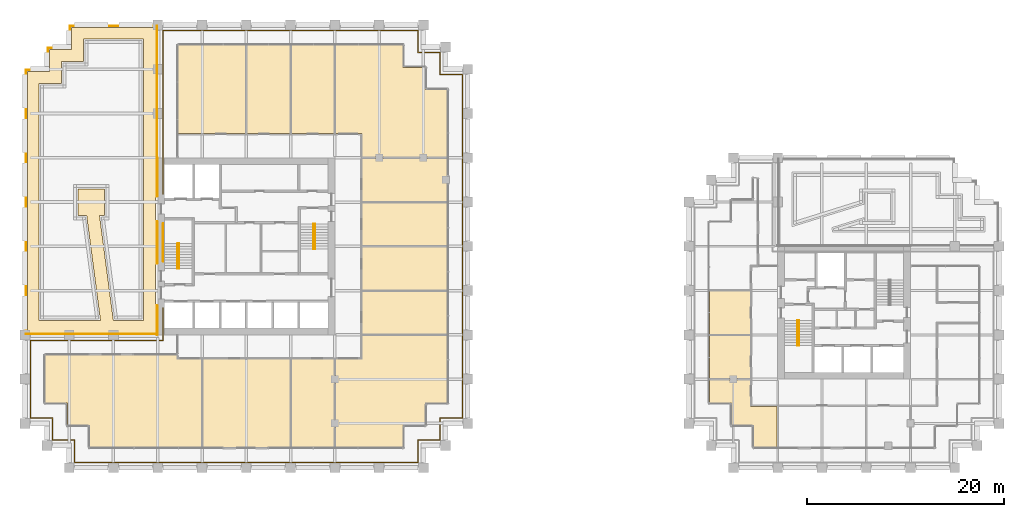
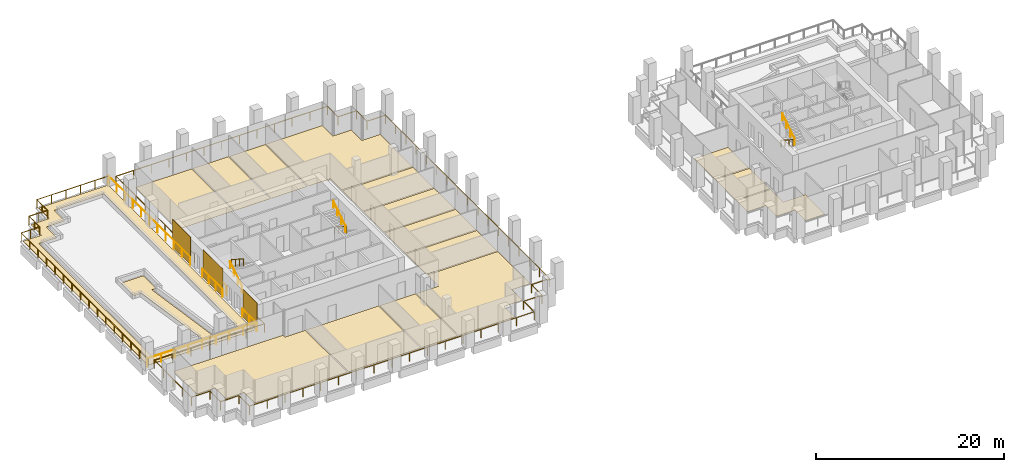
# One storey, part 50 of 52: 19 coverings, 13 railings.
"""IFC4 building model written with IfcOpenShell, lengths in metres."""

from ifc_helpers import new_model, si_unit, direction, frame, origin, origin_2d, place, context, subcontext, project, spatial, polyline, rectangle, circle, outline, extrude, source, transform, mapped, material, layer, layer_set, type_object, element, save


model = new_model("IFC4")

# Units and contexts
model_context = context("Model", 3, precision=1e-05, world=origin(), true_north=direction((0.0, 1.0)))
body_context = subcontext(model_context, "Body", "Model", "MODEL_VIEW")
ifc_project = project(units=[si_unit("LENGTHUNIT", "METRE"), si_unit("AREAUNIT", "SQUARE_METRE"), si_unit("VOLUMEUNIT", "CUBIC_METRE"), si_unit("PLANEANGLEUNIT", "RADIAN"), si_unit("MASSUNIT", "GRAM", prefix="KILO")], contexts=[model_context])

# Site, building, storey
site_placement = place(None, origin())
site = spatial("IfcSite", under=ifc_project, at=site_placement, CompositionType="ELEMENT")
building_placement = place(site_placement, origin())
building = spatial("IfcBuilding", under=site, at=building_placement, Name="Altepetl Exchange Towers", CompositionType="ELEMENT")
storey_placement = place(building_placement, frame((0.0, 0.0, 92.0)))
storey = spatial("IfcBuildingStorey", under=building, at=storey_placement, Name="L22", CompositionType="ELEMENT", Elevation=92.0)

# Coverings
ifc_material_1 = material(Name="Carpet tile")
ifc_layer_1 = layer(ifc_material_1, 0.02001953125)
ifc_layer_set_1 = layer_set([ifc_layer_1], Name="Carpet tile")
covering_type_1 = type_object("IfcCoveringType", Name="Carpet tile floor", PredefinedType="FLOORING", material=ifc_layer_set_1)
covering_1_placement = place(storey_placement, origin())
element("IfcCovering", 1, at=covering_1_placement, inside=storey, type_object=covering_type_1, Name="Open office floor finish A22.01", PredefinedType="FLOORING", context=body_context, shape_type="SweptSolid", body=[
    extrude(outline(polyline([(33.5625, 29.0625), (44.9375, 29.0625), (44.9375, 38.03759765625), (42.4375, 38.03759765625), (42.4375, 38.4375), (29.0625, 38.4375), (29.0625, 33.5625), (31.3125, 33.5625), (31.3125, 31.3125), (33.5625, 31.3125), (33.5625, 29.0625)])), origin(), (0.0, 0.0, 1.0), 0.02001953125),
])
covering_2_placement = place(storey_placement, origin())
element("IfcCovering", 2, at=covering_2_placement, inside=storey, type_object=covering_type_1, Name="Cowork office floor finish A22.04", PredefinedType="FLOORING", context=body_context, shape_type="SweptSolid", body=[
    extrude(outline(polyline([(58.5625, 38.03759765625), (58.5625, 29.0625), (65.4375, 29.0625), (65.4375, 31.3125), (67.6875, 31.3125), (67.6875, 33.5625), (69.9375, 33.5625), (69.9375, 40.4375), (61.262451171875, 40.4375), (61.262451171875, 38.03759765625), (58.5625, 38.03759765625)])), origin(), (0.0, 0.0, 1.0), 0.02001953125),
])
covering_3_placement = place(storey_placement, origin())
element("IfcCovering", 3, at=covering_3_placement, inside=storey, type_object=covering_type_1, Name="Meeting room floor finish A22.05", PredefinedType="FLOORING", context=body_context, shape_type="SweptSolid", body=[
    extrude(outline(polyline([(69.9375, 44.9375), (61.262451171875, 44.9375), (61.262451171875, 40.5625), (69.9375, 40.5625), (69.9375, 44.9375)])), origin(), (0.0, 0.0, 1.0), 0.02001953125),
])
covering_4_placement = place(storey_placement, origin())
element("IfcCovering", 4, at=covering_4_placement, inside=storey, type_object=covering_type_1, Name="Training room floor finish A22.06", PredefinedType="FLOORING", context=body_context, shape_type="SweptSolid", body=[
    extrude(outline(polyline([(69.9375, 49.4375), (61.262451171875, 49.4375), (61.262451171875, 45.0625), (69.9375, 45.0625), (69.9375, 49.4375)])), origin(), (0.0, 0.0, 1.0), 0.02001953125),
])
covering_5_placement = place(storey_placement, origin())
element("IfcCovering", 5, at=covering_5_placement, inside=storey, type_object=covering_type_1, Name="Meeting room floor finish A22.07", PredefinedType="FLOORING", context=body_context, shape_type="SweptSolid", body=[
    extrude(outline(polyline([(69.9375, 53.9375), (61.262451171875, 53.9375), (61.262451171875, 49.5625), (69.9375, 49.5625), (69.9375, 53.9375)])), origin(), (0.0, 0.0, 1.0), 0.02001953125),
])
covering_6_placement = place(storey_placement, origin())
element("IfcCovering", 6, at=covering_6_placement, inside=storey, type_object=covering_type_1, Name="Training room floor finish A22.08", PredefinedType="FLOORING", context=body_context, shape_type="SweptSolid", body=[
    extrude(outline(polyline([(69.9375, 58.4375), (61.262451171875, 58.4375), (61.262451171875, 54.0625), (69.9375, 54.0625), (69.9375, 58.4375)])), origin(), (0.0, 0.0, 1.0), 0.02001953125),
])
covering_7_placement = place(storey_placement, origin())
element("IfcCovering", 7, at=covering_7_placement, inside=storey, type_object=covering_type_1, Name="Cowork office floor finish A22.10", PredefinedType="FLOORING", context=body_context, shape_type="SweptSolid", body=[
    extrude(outline(polyline([(58.4375, 60.96240234375), (58.4375, 69.9375), (54.0625, 69.9375), (54.0625, 60.96240234375), (58.4375, 60.96240234375)])), origin(), (0.0, 0.0, 1.0), 0.02001953125),
])
covering_8_placement = place(storey_placement, origin())
element("IfcCovering", 8, at=covering_8_placement, inside=storey, type_object=covering_type_1, Name="Open office floor finish A22.12", PredefinedType="FLOORING", context=body_context, shape_type="SweptSolid", body=[
    extrude(outline(polyline([(49.4375, 60.96240234375), (49.4375, 69.9375), (42.5625, 69.9375), (42.5625, 60.96240234375), (49.4375, 60.96240234375)])), origin(), (0.0, 0.0, 1.0), 0.02001953125),
])
covering_9_placement = place(storey_placement, origin())
element("IfcCovering", 9, at=covering_9_placement, inside=storey, type_object=covering_type_1, Name="Huddle room floor finish B22.01", PredefinedType="FLOORING", context=body_context, shape_type="SweptSolid", body=[
    extrude(outline(polyline([(100.737548828125, 44.9375), (96.5625, 44.9375), (96.5625, 40.5625), (100.737548828125, 40.5625), (100.737548828125, 44.9375)])), origin(), (0.0, 0.0, 1.0), 0.02001953125),
])
covering_10_placement = place(storey_placement, origin())
element("IfcCovering", 10, at=covering_10_placement, inside=storey, type_object=covering_type_1, Name="Huddle room floor finish B22.02", PredefinedType="FLOORING", context=body_context, shape_type="SweptSolid", body=[
    extrude(outline(polyline([(100.737548828125, 40.4375), (96.5625, 40.4375), (96.5625, 36.0625), (100.737548828125, 36.0625), (100.737548828125, 40.4375)])), origin(), (0.0, 0.0, 1.0), 0.02001953125),
])
covering_11_placement = place(storey_placement, origin())
element("IfcCovering", 11, at=covering_11_placement, inside=storey, type_object=covering_type_1, Name="Open office floor finish B22.03", PredefinedType="FLOORING", context=body_context, shape_type="SweptSolid", body=[
    extrude(outline(polyline([(100.737548828125, 35.9375), (96.5625, 35.9375), (96.5625, 33.5625), (98.8125, 33.5625), (98.8125, 31.3125), (101.0625, 31.3125), (101.0625, 29.0625), (103.4375, 29.0625), (103.4375, 33.237548828125), (100.737548828125, 33.237548828125), (100.737548828125, 35.9375)])), origin(), (0.0, 0.0, 1.0), 0.02001953125),
])
ifc_material_2 = material(Name="Cantera stone", Category="masonry")
ifc_layer_2 = layer(ifc_material_2, 0.030029296875)
ifc_layer_set_2 = layer_set([ifc_layer_2], Name="Cantera stone")
covering_type_2 = type_object("IfcCoveringType", Name="Polished stone floor", PredefinedType="FLOORING", material=ifc_layer_set_2)
covering_12_placement = place(storey_placement, origin())
element("IfcCovering", 12, at=covering_12_placement, inside=storey, type_object=covering_type_2, Name="Cafe floor finish A22.02", PredefinedType="FLOORING", context=body_context, shape_type="SweptSolid", body=[
    extrude(outline(polyline([(45.0625, 38.03759765625), (45.0625, 29.0625), (53.9375, 29.0625), (53.9375, 38.03759765625), (45.0625, 38.03759765625)])), origin(), (0.0, 0.0, 1.0), 0.030029296875),
])
covering_13_placement = place(storey_placement, origin())
element("IfcCovering", 13, at=covering_13_placement, inside=storey, type_object=covering_type_2, Name="Cafe floor finish A22.03", PredefinedType="FLOORING", context=body_context, shape_type="SweptSolid", body=[
    extrude(outline(polyline([(54.0625, 38.03759765625), (54.0625, 29.0625), (58.4375, 29.0625), (58.4375, 38.03759765625), (54.0625, 38.03759765625)])), origin(), (0.0, 0.0, 1.0), 0.030029296875),
])
covering_14_placement = place(storey_placement, origin())
element("IfcCovering", 14, at=covering_14_placement, inside=storey, type_object=covering_type_2, Name="Cafe floor finish A22.09", PredefinedType="FLOORING", context=body_context, shape_type="SweptSolid", body=[
    extrude(outline(polyline([(65.4375, 69.9375), (58.5625, 69.9375), (58.5625, 60.96240234375), (61.262451171875, 60.96240234375), (61.262451171875, 58.5625), (69.9375, 58.5625), (69.9375, 65.4375), (67.6875, 65.4375), (67.6875, 67.6875), (65.4375, 67.6875), (65.4375, 69.9375)])), origin(), (0.0, 0.0, 1.0), 0.030029296875),
])
covering_15_placement = place(storey_placement, origin())
element("IfcCovering", 15, at=covering_15_placement, inside=storey, type_object=covering_type_2, Name="Cafe floor finish A22.11", PredefinedType="FLOORING", context=body_context, shape_type="SweptSolid", body=[
    extrude(outline(polyline([(53.9375, 60.96240234375), (53.9375, 69.9375), (49.5625, 69.9375), (49.5625, 60.96240234375), (53.9375, 60.96240234375)])), origin(), (0.0, 0.0, 1.0), 0.030029296875),
])
ifc_material_3 = material(Name="Cantera limestone cladding", Category="masonry")
ifc_layer_3 = layer(ifc_material_3, 0.0400390625)
ifc_layer_set_3 = layer_set([ifc_layer_3], Name="Cantera limestone cladding")
covering_type_3 = type_object("IfcCoveringType", Name="Stone panel 40 cantera", PredefinedType="CLADDING", material=ifc_layer_set_3)
covering_16_placement = place(storey_placement, frame((40.47998046875, 56.550048828125, 0.0), z_axis=(0.0, 0.0, 1.0), x_axis=(0.0, -1.0, 0.0)))
element("IfcCovering", 16, at=covering_16_placement, inside=storey, type_object=covering_type_3, Name="Stone cladding panel", PredefinedType="CLADDING", context=body_context, shape_type="SweptSolid", body=[
    extrude(rectangle(XDim=3.89990234375, YDim=0.0400390625, at=origin_2d()), origin(), (0.0, 0.0, 1.0), 3.60009765625),
])
covering_17_placement = place(storey_placement, frame((40.47998046875, 49.887451171875, 0.0), z_axis=(0.0, 0.0, 1.0), x_axis=(0.0, -1.0, 0.0)))
element("IfcCovering", 17, at=covering_17_placement, inside=storey, type_object=covering_type_3, Name="Stone cladding panel", PredefinedType="CLADDING", context=body_context, shape_type="SweptSolid", body=[
    extrude(rectangle(XDim=4.22509765625, YDim=0.0400390625, at=origin_2d()), origin(), (0.0, 0.0, 1.0), 3.60009765625),
])
covering_18_placement = place(storey_placement, frame((40.47998046875, 41.97509765625, 0.0), z_axis=(0.0, 0.0, 1.0), x_axis=(0.0, -1.0, 0.0)))
element("IfcCovering", 18, at=covering_18_placement, inside=storey, type_object=covering_type_3, Name="Stone cladding panel", PredefinedType="CLADDING", context=body_context, shape_type="SweptSolid", body=[
    extrude(rectangle(XDim=2.949951171875, YDim=0.0400390625, at=origin_2d()), origin(), (0.0, 0.0, 1.0), 3.60009765625),
])
ifc_material_4 = material(Name="Cantera limestone paving", Category="masonry")
ifc_layer_4 = layer(ifc_material_4, 0.0400390625)
ifc_layer_set_4 = layer_set([ifc_layer_4], Name="Cantera limestone paving")
covering_type_4 = type_object("IfcCoveringType", Name="Stone terrace paving 40", PredefinedType="FLOORING", material=ifc_layer_set_4)
covering_19_placement = place(storey_placement, origin())
element("IfcCovering", 19, at=covering_19_placement, inside=storey, type_object=covering_type_4, Name="Terrace paving", PredefinedType="FLOORING", context=body_context, shape_type="SweptSolid", body=[
    extrude(outline(polyline([(31.75, 69.5), (29.5, 69.5), (29.5, 67.25), (27.25, 67.25), (27.25, 40.75), (40.25, 40.75), (40.25, 71.75), (31.75, 71.75), (31.75, 69.5)]), holes=[polyline([(30.699951171875, 66.050048828125), (28.449951171875, 66.050048828125), (28.449951171875, 41.949951171875), (34.678466796875, 41.949951171875), (33.27197265625, 52.64990234375), (32.39990234375, 52.64990234375), (32.39990234375, 55.35009765625), (35.10009765625, 55.35009765625), (35.10009765625, 52.64990234375), (34.5830078125, 52.64990234375), (35.989501953125, 41.949951171875), (39.050048828125, 41.949951171875), (39.050048828125, 70.550048828125), (32.949951171875, 70.550048828125), (32.949951171875, 68.300048828125), (30.699951171875, 68.300048828125), (30.699951171875, 66.050048828125)])]), origin(), (0.0, 0.0, 1.0), 0.0400390625),
])

# Railings
ifc_material_5 = material(Name="Steel S355", Category="steel")
railing_type_1 = type_object("IfcRailingType", Name="Guard 1100 steel posts and rail", PredefinedType="GUARDRAIL", material=ifc_material_5)
shared_shape_1 = source(origin(), body_context, "Body", "SweptSolid", [
    extrude(circle(Radius=0.02099609375, at=origin_2d()), origin(), (0.0, 0.0, 1.0), 1.052001953125),
])
railing_1_placement = place(storey_placement, frame((41.050048828125, 43.257568359375, 0.0)))
element("IfcRailing", 20, at=railing_1_placement, inside=storey, type_object=railing_type_1, Name="Loggia guard", PredefinedType="GUARDRAIL", context=body_context, shape_type="SweptSolid", body=[
    extrude(circle(Radius=0.02392578125, at=origin_2d()), frame((0.0, 0.0, 1.076171875), z_axis=(0.0, -1.0, 0.0), x_axis=(1.0, 0.0, 0.0)), (0.0, 0.0, 1.0), 3.3076171875),
    extrude(circle(Radius=0.02392578125, at=origin_2d()), frame((0.0, -3.3076171875, 1.076171875), z_axis=(-1.0, 0.0, 0.0), x_axis=(0.0, -1.0, 0.0)), (0.0, 0.0, 1.0), 13.5),
    extrude(circle(Radius=0.02392578125, at=origin_2d()), frame((-13.5, -3.3076171875, 1.076171875), z_axis=(0.0, -1.0, 0.0), x_axis=(1.0, 0.0, 0.0)), (0.0, 0.0, 1.0), 7.89990234375),
    extrude(circle(Radius=0.02392578125, at=origin_2d()), frame((-13.5, -11.20751953125, 1.076171875), z_axis=(1.0, 0.0, 0.0), x_axis=(0.0, 1.0, 0.0)), (0.0, 0.0, 1.0), 2.25),
    extrude(circle(Radius=0.02392578125, at=origin_2d()), frame((-11.25, -11.20751953125, 1.076171875), z_axis=(0.0, -1.0, 0.0), x_axis=(1.0, 0.0, 0.0)), (0.0, 0.0, 1.0), 2.25),
    extrude(circle(Radius=0.02392578125, at=origin_2d()), frame((-11.25, -13.45751953125, 1.076171875), z_axis=(1.0, 0.0, 0.0), x_axis=(0.0, 1.0, 0.0)), (0.0, 0.0, 1.0), 2.25),
    extrude(circle(Radius=0.02392578125, at=origin_2d()), frame((-9.0, -13.45751953125, 1.076171875), z_axis=(0.0, -1.0, 0.0), x_axis=(1.0, 0.0, 0.0)), (0.0, 0.0, 1.0), 2.25),
    extrude(circle(Radius=0.02392578125, at=origin_2d()), frame((-9.0, -15.70751953125, 1.076171875), z_axis=(1.0, 0.0, 0.0), x_axis=(0.0, 1.0, 0.0)), (0.0, 0.0, 1.0), 34.89990234375),
    extrude(circle(Radius=0.02392578125, at=origin_2d()), frame((25.89990234375, -15.70751953125, 1.076171875), z_axis=(0.0, 1.0, 0.0), x_axis=(-1.0, 0.0, 0.0)), (0.0, 0.0, 1.0), 2.25),
    extrude(circle(Radius=0.02392578125, at=origin_2d()), frame((25.89990234375, -13.45751953125, 1.076171875), z_axis=(1.0, 0.0, 0.0), x_axis=(0.0, 1.0, 0.0)), (0.0, 0.0, 1.0), 2.25),
    extrude(circle(Radius=0.02392578125, at=origin_2d()), frame((28.14990234375, -13.45751953125, 1.076171875), z_axis=(0.0, 1.0, 0.0), x_axis=(-1.0, 0.0, 0.0)), (0.0, 0.0, 1.0), 2.25),
    extrude(circle(Radius=0.02392578125, at=origin_2d()), frame((28.14990234375, -11.20751953125, 1.076171875), z_axis=(1.0, 0.0, 0.0), x_axis=(0.0, 1.0, 0.0)), (0.0, 0.0, 1.0), 2.25),
    extrude(circle(Radius=0.02392578125, at=origin_2d()), frame((30.39990234375, -11.20751953125, 1.076171875), z_axis=(0.0, 1.0, 0.0), x_axis=(-1.0, 0.0, 0.0)), (0.0, 0.0, 1.0), 34.89990234375),
    extrude(circle(Radius=0.02392578125, at=origin_2d()), frame((30.39990234375, 23.6923828125, 1.076171875), z_axis=(-1.0, 0.0, 0.0), x_axis=(0.0, -1.0, 0.0)), (0.0, 0.0, 1.0), 2.25),
    extrude(circle(Radius=0.02392578125, at=origin_2d()), frame((28.14990234375, 23.6923828125, 1.076171875), z_axis=(0.0, 1.0, 0.0), x_axis=(-1.0, 0.0, 0.0)), (0.0, 0.0, 1.0), 2.25),
    extrude(circle(Radius=0.02392578125, at=origin_2d()), frame((28.14990234375, 25.9423828125, 1.076171875), z_axis=(-1.0, 0.0, 0.0), x_axis=(0.0, -1.0, 0.0)), (0.0, 0.0, 1.0), 2.25),
    extrude(circle(Radius=0.02392578125, at=origin_2d()), frame((25.89990234375, 25.9423828125, 1.076171875), z_axis=(0.0, 1.0, 0.0), x_axis=(-1.0, 0.0, 0.0)), (0.0, 0.0, 1.0), 2.25),
    extrude(circle(Radius=0.02392578125, at=origin_2d()), frame((25.89990234375, 28.1923828125, 1.076171875), z_axis=(-1.0, 0.0, 0.0), x_axis=(0.0, -1.0, 0.0)), (0.0, 0.0, 1.0), 25.89990234375),
    extrude(circle(Radius=0.02392578125, at=origin_2d()), frame((0.0, 28.1923828125, 1.076171875), z_axis=(0.0, -1.0, 0.0), x_axis=(1.0, 0.0, 0.0)), (0.0, 0.0, 1.0), 16.65771484375),
    mapped(shared_shape_1, transform((0.0, 0.0, 0.0))),
    mapped(shared_shape_1, transform((0.0, -1.65380859375, 0.0))),
    mapped(shared_shape_1, transform((0.0, -3.3076171875, 0.0))),
    mapped(shared_shape_1, transform((-2.25, -3.3076171875, 0.0))),
    mapped(shared_shape_1, transform((-4.5, -3.3076171875, 0.0))),
    mapped(shared_shape_1, transform((-6.75, -3.3076171875, 0.0))),
    mapped(shared_shape_1, transform((-9.0, -3.3076171875, 0.0))),
    mapped(shared_shape_1, transform((-11.25, -3.3076171875, 0.0))),
    mapped(shared_shape_1, transform((-13.5, -3.3076171875, 0.0))),
    mapped(shared_shape_1, transform((-13.5, -5.28271484375, 0.0))),
    mapped(shared_shape_1, transform((-13.5, -7.257568359375, 0.0))),
    mapped(shared_shape_1, transform((-13.5, -9.232421875, 0.0))),
    mapped(shared_shape_1, transform((-13.5, -11.20751953125, 0.0))),
    mapped(shared_shape_1, transform((-11.25, -11.20751953125, 0.0))),
    mapped(shared_shape_1, transform((-11.25, -13.45751953125, 0.0))),
    mapped(shared_shape_1, transform((-9.0, -13.45751953125, 0.0))),
    mapped(shared_shape_1, transform((-9.0, -15.70751953125, 0.0))),
    mapped(shared_shape_1, transform((-6.81884765625, -15.70751953125, 0.0))),
    mapped(shared_shape_1, transform((-4.637451171875, -15.70751953125, 0.0))),
    mapped(shared_shape_1, transform((-2.456298828125, -15.70751953125, 0.0))),
    mapped(shared_shape_1, transform((-0.27490234375, -15.70751953125, 0.0))),
    mapped(shared_shape_1, transform((1.90625, -15.70751953125, 0.0))),
    mapped(shared_shape_1, transform((4.08740234375, -15.70751953125, 0.0))),
    mapped(shared_shape_1, transform((6.268798828125, -15.70751953125, 0.0))),
    mapped(shared_shape_1, transform((8.449951171875, -15.70751953125, 0.0))),
    mapped(shared_shape_1, transform((10.631103515625, -15.70751953125, 0.0))),
    mapped(shared_shape_1, transform((12.8125, -15.70751953125, 0.0))),
    mapped(shared_shape_1, transform((14.99365234375, -15.70751953125, 0.0))),
    mapped(shared_shape_1, transform((17.1748046875, -15.70751953125, 0.0))),
    mapped(shared_shape_1, transform((19.356201171875, -15.70751953125, 0.0))),
    mapped(shared_shape_1, transform((21.537353515625, -15.70751953125, 0.0))),
    mapped(shared_shape_1, transform((23.71875, -15.70751953125, 0.0))),
    mapped(shared_shape_1, transform((25.89990234375, -15.70751953125, 0.0))),
    mapped(shared_shape_1, transform((25.89990234375, -13.45751953125, 0.0))),
    mapped(shared_shape_1, transform((28.14990234375, -13.45751953125, 0.0))),
    mapped(shared_shape_1, transform((28.14990234375, -11.20751953125, 0.0))),
    mapped(shared_shape_1, transform((30.39990234375, -11.20751953125, 0.0))),
    mapped(shared_shape_1, transform((30.39990234375, -9.0263671875, 0.0))),
    mapped(shared_shape_1, transform((30.39990234375, -6.844970703125, 0.0))),
    mapped(shared_shape_1, transform((30.39990234375, -4.663818359375, 0.0))),
    mapped(shared_shape_1, transform((30.39990234375, -2.482421875, 0.0))),
    mapped(shared_shape_1, transform((30.39990234375, -0.30126953125, 0.0))),
    mapped(shared_shape_1, transform((30.39990234375, 1.8798828125, 0.0))),
    mapped(shared_shape_1, transform((30.39990234375, 4.061279296875, 0.0))),
    mapped(shared_shape_1, transform((30.39990234375, 6.242431640625, 0.0))),
    mapped(shared_shape_1, transform((30.39990234375, 8.423583984375, 0.0))),
    mapped(shared_shape_1, transform((30.39990234375, 10.60498046875, 0.0))),
    mapped(shared_shape_1, transform((30.39990234375, 12.7861328125, 0.0))),
    mapped(shared_shape_1, transform((30.39990234375, 14.96728515625, 0.0))),
    mapped(shared_shape_1, transform((30.39990234375, 17.148681640625, 0.0))),
    mapped(shared_shape_1, transform((30.39990234375, 19.329833984375, 0.0))),
    mapped(shared_shape_1, transform((30.39990234375, 21.51123046875, 0.0))),
    mapped(shared_shape_1, transform((30.39990234375, 23.6923828125, 0.0))),
    mapped(shared_shape_1, transform((28.14990234375, 23.6923828125, 0.0))),
    mapped(shared_shape_1, transform((28.14990234375, 25.9423828125, 0.0))),
    mapped(shared_shape_1, transform((25.89990234375, 25.9423828125, 0.0))),
    mapped(shared_shape_1, transform((25.89990234375, 28.1923828125, 0.0))),
    mapped(shared_shape_1, transform((23.74169921875, 28.1923828125, 0.0))),
    mapped(shared_shape_1, transform((21.583251953125, 28.1923828125, 0.0))),
    mapped(shared_shape_1, transform((19.4248046875, 28.1923828125, 0.0))),
    mapped(shared_shape_1, transform((17.2666015625, 28.1923828125, 0.0))),
    mapped(shared_shape_1, transform((15.1083984375, 28.1923828125, 0.0))),
    mapped(shared_shape_1, transform((12.949951171875, 28.1923828125, 0.0))),
    mapped(shared_shape_1, transform((10.79150390625, 28.1923828125, 0.0))),
    mapped(shared_shape_1, transform((8.63330078125, 28.1923828125, 0.0))),
    mapped(shared_shape_1, transform((6.47509765625, 28.1923828125, 0.0))),
    mapped(shared_shape_1, transform((4.316650390625, 28.1923828125, 0.0))),
    mapped(shared_shape_1, transform((2.158203125, 28.1923828125, 0.0))),
    mapped(shared_shape_1, transform((0.0, 28.1923828125, 0.0))),
    mapped(shared_shape_1, transform((0.0, 26.110107421875, 0.0))),
    mapped(shared_shape_1, transform((0.0, 24.02783203125, 0.0))),
    mapped(shared_shape_1, transform((0.0, 21.94580078125, 0.0))),
    mapped(shared_shape_1, transform((0.0, 19.863525390625, 0.0))),
    mapped(shared_shape_1, transform((0.0, 17.78125, 0.0))),
    mapped(shared_shape_1, transform((0.0, 15.69921875, 0.0))),
    mapped(shared_shape_1, transform((0.0, 13.616943359375, 0.0))),
    mapped(shared_shape_1, transform((0.0, 11.53466796875, 0.0))),
])
railing_2_placement = place(storey_placement, frame((41.050048828125, 51.8076171875, 0.0)))
element("IfcRailing", 21, at=railing_2_placement, inside=storey, type_object=railing_type_1, Name="Loggia guard", PredefinedType="GUARDRAIL", context=body_context, shape_type="SweptSolid", body=[
    extrude(circle(Radius=0.02392578125, at=origin_2d()), frame((0.0, 0.0, 1.076171875), z_axis=(0.0, -1.0, 0.0), x_axis=(1.0, 0.0, 0.0)), (0.0, 0.0, 1.0), 3.84033203125),
    mapped(shared_shape_1, transform((0.0, 0.0, 0.0))),
    mapped(shared_shape_1, transform((0.0, -1.920166015625, 0.0))),
    mapped(shared_shape_1, transform((0.0, -3.84033203125, 0.0))),
])
railing_3_placement = place(storey_placement, frame((40.5, 71.89990234375, 0.0)))
element("IfcRailing", 22, at=railing_3_placement, inside=storey, type_object=railing_type_1, Name="Terrace guard", PredefinedType="GUARDRAIL", context=body_context, shape_type="SweptSolid", body=[
    extrude(circle(Radius=0.02392578125, at=origin_2d()), frame((0.0, 0.0, 1.076171875), z_axis=(-1.0, 0.0, 0.0), x_axis=(0.0, -1.0, 0.0)), (0.0, 0.0, 1.0), 8.89990234375),
    extrude(circle(Radius=0.02392578125, at=origin_2d()), frame((-8.89990234375, 0.0, 1.076171875), z_axis=(0.0, -1.0, 0.0), x_axis=(1.0, 0.0, 0.0)), (0.0, 0.0, 1.0), 2.25),
    extrude(circle(Radius=0.02392578125, at=origin_2d()), frame((-8.89990234375, -2.25, 1.076171875), z_axis=(-1.0, 0.0, 0.0), x_axis=(0.0, -1.0, 0.0)), (0.0, 0.0, 1.0), 2.25),
    extrude(circle(Radius=0.02392578125, at=origin_2d()), frame((-11.14990234375, -2.25, 1.076171875), z_axis=(0.0, -1.0, 0.0), x_axis=(1.0, 0.0, 0.0)), (0.0, 0.0, 1.0), 2.25),
    extrude(circle(Radius=0.02392578125, at=origin_2d()), frame((-11.14990234375, -4.5, 1.076171875), z_axis=(-1.0, 0.0, 0.0), x_axis=(0.0, -1.0, 0.0)), (0.0, 0.0, 1.0), 2.25),
    extrude(circle(Radius=0.02392578125, at=origin_2d()), frame((-13.39990234375, -4.5, 1.076171875), z_axis=(0.0, -1.0, 0.0), x_axis=(1.0, 0.0, 0.0)), (0.0, 0.0, 1.0), 26.89990234375),
    mapped(shared_shape_1, transform((0.0, 0.0, 0.0))),
    mapped(shared_shape_1, transform((-1.780029296875, 0.0, 0.0))),
    mapped(shared_shape_1, transform((-3.56005859375, 0.0, 0.0))),
    mapped(shared_shape_1, transform((-5.33984375, 0.0, 0.0))),
    mapped(shared_shape_1, transform((-7.119873046875, 0.0, 0.0))),
    mapped(shared_shape_1, transform((-8.89990234375, 0.0, 0.0))),
    mapped(shared_shape_1, transform((-8.89990234375, -1.125, 0.0))),
    mapped(shared_shape_1, transform((-8.89990234375, -2.25, 0.0))),
    mapped(shared_shape_1, transform((-10.02490234375, -2.25, 0.0))),
    mapped(shared_shape_1, transform((-11.14990234375, -2.25, 0.0))),
    mapped(shared_shape_1, transform((-11.14990234375, -3.375, 0.0))),
    mapped(shared_shape_1, transform((-11.14990234375, -4.5, 0.0))),
    mapped(shared_shape_1, transform((-12.27490234375, -4.5, 0.0))),
    mapped(shared_shape_1, transform((-13.39990234375, -4.5, 0.0))),
    mapped(shared_shape_1, transform((-13.39990234375, -6.293212890625, 0.0))),
    mapped(shared_shape_1, transform((-13.39990234375, -8.086669921875, 0.0))),
    mapped(shared_shape_1, transform((-13.39990234375, -9.8798828125, 0.0))),
    mapped(shared_shape_1, transform((-13.39990234375, -11.67333984375, 0.0))),
    mapped(shared_shape_1, transform((-13.39990234375, -13.466552734375, 0.0))),
    mapped(shared_shape_1, transform((-13.39990234375, -15.260009765625, 0.0))),
    mapped(shared_shape_1, transform((-13.39990234375, -17.05322265625, 0.0))),
    mapped(shared_shape_1, transform((-13.39990234375, -18.8466796875, 0.0))),
    mapped(shared_shape_1, transform((-13.39990234375, -20.639892578125, 0.0))),
    mapped(shared_shape_1, transform((-13.39990234375, -22.433349609375, 0.0))),
    mapped(shared_shape_1, transform((-13.39990234375, -24.2265625, 0.0))),
    mapped(shared_shape_1, transform((-13.39990234375, -26.02001953125, 0.0))),
    mapped(shared_shape_1, transform((-13.39990234375, -27.813232421875, 0.0))),
    mapped(shared_shape_1, transform((-13.39990234375, -29.606689453125, 0.0))),
    mapped(shared_shape_1, transform((-13.39990234375, -31.39990234375, 0.0))),
])
railing_4_placement = place(storey_placement, frame((27.10009765625, 40.60009765625, 0.0)))
element("IfcRailing", 23, at=railing_4_placement, inside=storey, type_object=railing_type_1, Name="Terrace guard", PredefinedType="GUARDRAIL", context=body_context, shape_type="SweptSolid", body=[
    extrude(circle(Radius=0.02392578125, at=origin_2d()), frame((0.0, 0.0, 1.076171875), z_axis=(1.0, 0.0, 0.0), x_axis=(0.0, 1.0, 0.0)), (0.0, 0.0, 1.0), 13.39990234375),
    mapped(shared_shape_1, transform((0.0, 0.0, 0.0))),
    mapped(shared_shape_1, transform((1.675048828125, 0.0, 0.0))),
    mapped(shared_shape_1, transform((3.35009765625, 0.0, 0.0))),
    mapped(shared_shape_1, transform((5.02490234375, 0.0, 0.0))),
    mapped(shared_shape_1, transform((6.699951171875, 0.0, 0.0))),
    mapped(shared_shape_1, transform((8.375, 0.0, 0.0))),
    mapped(shared_shape_1, transform((10.0498046875, 0.0, 0.0))),
    mapped(shared_shape_1, transform((11.724853515625, 0.0, 0.0))),
    mapped(shared_shape_1, transform((13.39990234375, 0.0, 0.0))),
])
railing_5_placement = place(storey_placement, frame((40.39990234375, 40.5, 0.0)))
element("IfcRailing", 24, at=railing_5_placement, inside=storey, type_object=railing_type_1, Name="Terrace guard", PredefinedType="GUARDRAIL", context=body_context, shape_type="SweptSolid", body=[
    extrude(circle(Radius=0.02392578125, at=origin_2d()), frame((0.0, 0.0, 1.076171875), z_axis=(0.0, 1.0, 0.0), x_axis=(-1.0, 0.0, 0.0)), (0.0, 0.0, 1.0), 2.98291015625),
    mapped(shared_shape_1, transform((0.0, 0.0, 0.0))),
    mapped(shared_shape_1, transform((0.0, 1.491455078125, 0.0))),
    mapped(shared_shape_1, transform((0.0, 2.98291015625, 0.0))),
])
railing_6_placement = place(storey_placement, frame((40.39990234375, 47.7421875, 0.0)))
element("IfcRailing", 25, at=railing_6_placement, inside=storey, type_object=railing_type_1, Name="Terrace guard", PredefinedType="GUARDRAIL", context=body_context, shape_type="SweptSolid", body=[
    extrude(circle(Radius=0.02392578125, at=origin_2d()), frame((0.0, 0.0, 1.076171875), z_axis=(0.0, 1.0, 0.0), x_axis=(-1.0, 0.0, 0.0)), (0.0, 0.0, 1.0), 4.29052734375),
    mapped(shared_shape_1, transform((0.0, 0.0, 0.0))),
    mapped(shared_shape_1, transform((0.0, 1.43017578125, 0.0))),
    mapped(shared_shape_1, transform((0.0, 2.8603515625, 0.0))),
    mapped(shared_shape_1, transform((0.0, 4.29052734375, 0.0))),
])
railing_7_placement = place(storey_placement, frame((40.39990234375, 54.567138671875, 0.0)))
element("IfcRailing", 26, at=railing_7_placement, inside=storey, type_object=railing_type_1, Name="Terrace guard", PredefinedType="GUARDRAIL", context=body_context, shape_type="SweptSolid", body=[
    extrude(circle(Radius=0.02392578125, at=origin_2d()), frame((0.0, 0.0, 1.076171875), z_axis=(0.0, 1.0, 0.0), x_axis=(-1.0, 0.0, 0.0)), (0.0, 0.0, 1.0), 17.332763671875),
    mapped(shared_shape_1, transform((0.0, 0.0, 0.0))),
    mapped(shared_shape_1, transform((0.0, 1.7333984375, 0.0))),
    mapped(shared_shape_1, transform((0.0, 3.466552734375, 0.0))),
    mapped(shared_shape_1, transform((0.0, 5.19970703125, 0.0))),
    mapped(shared_shape_1, transform((0.0, 6.93310546875, 0.0))),
    mapped(shared_shape_1, transform((0.0, 8.66650390625, 0.0))),
    mapped(shared_shape_1, transform((0.0, 10.399658203125, 0.0))),
    mapped(shared_shape_1, transform((0.0, 12.1328125, 0.0))),
    mapped(shared_shape_1, transform((0.0, 13.8662109375, 0.0))),
    mapped(shared_shape_1, transform((0.0, 15.599609375, 0.0))),
    mapped(shared_shape_1, transform((0.0, 17.332763671875, 0.0))),
])
ifc_material_6 = material(Name="Steel", Category="steel")
railing_type_2 = type_object("IfcRailingType", Name="Stair handrail 50 steel tube", PredefinedType="HANDRAIL", material=ifc_material_6)
shared_shape_2 = source(origin(), body_context, "Body", "SweptSolid", [
    extrude(circle(Radius=0.02099609375, at=origin_2d()), origin(), (0.0, 0.0, 1.0), 0.851806640625),
])
railing_8_placement = place(storey_placement, frame((42.52001953125, 47.25, 0.179931640625)))
element("IfcRailing", 27, at=railing_8_placement, inside=storey, type_object=railing_type_2, Name="Stair handrail", PredefinedType="HANDRAIL", context=body_context, shape_type="SweptSolid", body=[
    extrude(circle(Radius=0.02392578125, at=origin_2d()), frame((0.0, 0.0, 0.8759765625), z_axis=(0.0, 0.841162588446, 0.540782303519), x_axis=(-1.0, 0.0, 0.0)), (0.0, 0.0, 1.0), 2.995849609375),
    mapped(shared_shape_2, transform((0.0, 0.0, 0.0))),
    mapped(shared_shape_2, transform((0.0, 0.840087890625, 0.5400390625))),
    mapped(shared_shape_2, transform((0.0, 1.679931640625, 1.080078125))),
    mapped(shared_shape_2, transform((0.0, 2.52001953125, 1.6201171875))),
])
for number, where, name in (
    (28, (42.679931640625, 49.77001953125, 1.97998046875), "Stair handrail"),
    (29, (56.47998046875, 51.75, 0.179931640625), "Stair handrail"),
):
    element("IfcRailing", number, at=place(storey_placement, frame(where)), inside=storey, type_object=railing_type_2, Name=name, PredefinedType="HANDRAIL", context=body_context, shape_type="SweptSolid", body=[
        extrude(circle(Radius=0.02392578125, at=origin_2d()), frame((0.0, 0.0, 0.8759765625), z_axis=(0.0, -0.841162588446, 0.540782303519), x_axis=(1.0, 0.0, 0.0)), (0.0, 0.0, 1.0), 2.995849609375),
        mapped(shared_shape_2, transform((0.0, 0.0, 0.0))),
        mapped(shared_shape_2, transform((0.0, -0.840087890625, 0.5400390625))),
        mapped(shared_shape_2, transform((0.0, -1.679931640625, 1.080078125))),
        mapped(shared_shape_2, transform((0.0, -2.52001953125, 1.6201171875))),
    ])
railing_9_placement = place(storey_placement, frame((56.320068359375, 49.22998046875, 1.97998046875)))
element("IfcRailing", 30, at=railing_9_placement, inside=storey, type_object=railing_type_2, Name="Stair handrail", PredefinedType="HANDRAIL", context=body_context, shape_type="SweptSolid", body=[
    extrude(circle(Radius=0.02392578125, at=origin_2d()), frame((0.0, 0.0, 0.8759765625), z_axis=(0.0, 0.841162588446, 0.540782303519), x_axis=(-1.0, 0.0, 0.0)), (0.0, 0.0, 1.0), 2.995849609375),
    mapped(shared_shape_2, transform((0.0, 0.0, 0.0))),
    mapped(shared_shape_2, transform((0.0, 0.840087890625, 0.5400390625))),
    mapped(shared_shape_2, transform((0.0, 1.679931640625, 1.080078125))),
    mapped(shared_shape_2, transform((0.0, 2.52001953125, 1.6201171875))),
])
railing_10_placement = place(storey_placement, frame((105.52001953125, 41.949951171875, 0.179931640625)))
element("IfcRailing", 31, at=railing_10_placement, inside=storey, type_object=railing_type_2, Name="Stair handrail", PredefinedType="HANDRAIL", context=body_context, shape_type="SweptSolid", body=[
    extrude(circle(Radius=0.02392578125, at=origin_2d()), frame((0.0, 0.0, 0.8759765625), z_axis=(0.0, -0.841162588446, 0.540782303519), x_axis=(1.0, 0.0, 0.0)), (0.0, 0.0, 1.0), 2.995849609375),
    mapped(shared_shape_2, transform((0.0, 0.0, 0.0))),
    mapped(shared_shape_2, transform((0.0, -0.840087890625, 0.5400390625))),
    mapped(shared_shape_2, transform((0.0, -1.679931640625, 1.080078125))),
    mapped(shared_shape_2, transform((0.0, -2.52001953125, 1.6201171875))),
])
railing_11_placement = place(storey_placement, frame((105.679931640625, 39.429931640625, 1.97998046875)))
element("IfcRailing", 32, at=railing_11_placement, inside=storey, type_object=railing_type_2, Name="Stair handrail", PredefinedType="HANDRAIL", context=body_context, shape_type="SweptSolid", body=[
    extrude(circle(Radius=0.02392578125, at=origin_2d()), frame((0.0, 0.0, 0.8759765625), z_axis=(0.0, 0.841162588446, 0.540782303519), x_axis=(-1.0, 0.0, 0.0)), (0.0, 0.0, 1.0), 2.995849609375),
    mapped(shared_shape_2, transform((0.0, 0.0, 0.0))),
    mapped(shared_shape_2, transform((0.0, 0.840087890625, 0.5400390625))),
    mapped(shared_shape_2, transform((0.0, 1.679931640625, 1.080078125))),
    mapped(shared_shape_2, transform((0.0, 2.52001953125, 1.6201171875))),
])

save(model, "model.ifc")
